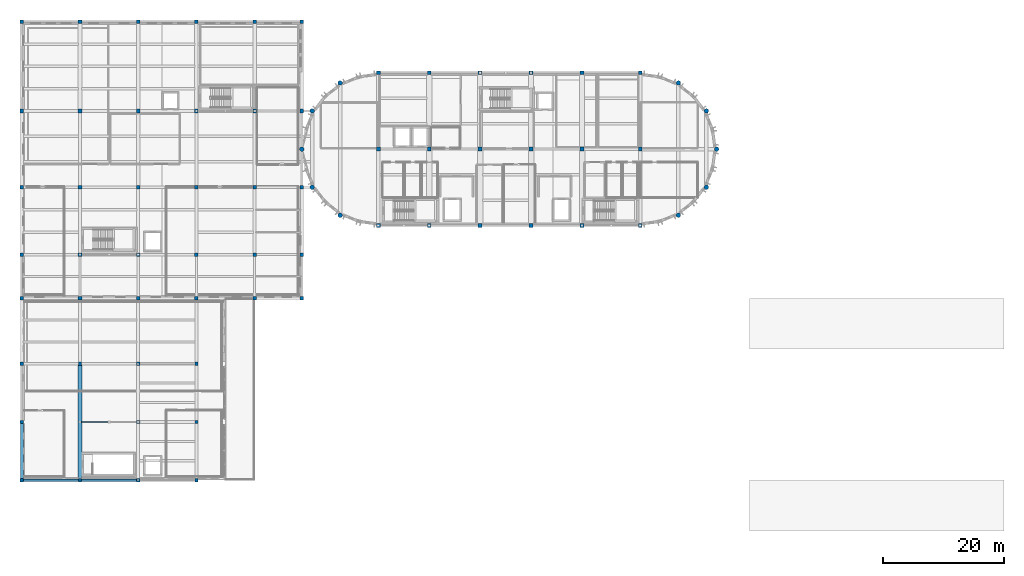
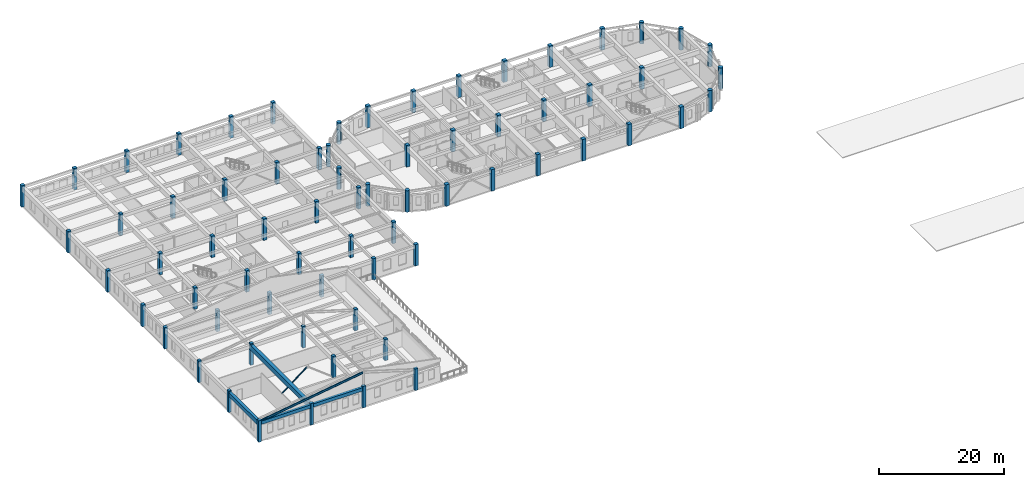
# One storey, part 1 of 31: 69 columns, 5 beams, 1 member.
"""IFC4 building model written with IfcOpenShell, lengths in metres."""

from ifc_helpers import new_model, si_unit, direction, frame, origin, origin_2d, place, context, subcontext, project, spatial, rectangle, hollow_rectangle, circle, i_section, extrude, material, material_profile, profile_set, type_object, element, save


model = new_model("IFC4")

# Units and contexts
model_context = context("Model", 3, precision=1e-05, world=origin(), true_north=direction((0.0, 1.0)))
body_context = subcontext(model_context, "Body", "Model", "MODEL_VIEW")
ifc_project = project(units=[si_unit("LENGTHUNIT", "METRE"), si_unit("AREAUNIT", "SQUARE_METRE"), si_unit("VOLUMEUNIT", "CUBIC_METRE"), si_unit("PLANEANGLEUNIT", "RADIAN"), si_unit("MASSUNIT", "GRAM", prefix="KILO")], contexts=[model_context])

# Site, building, storey
site_placement = place(None, origin())
site = spatial("IfcSite", under=ifc_project, at=site_placement, CompositionType="ELEMENT")
building_placement = place(site_placement, origin())
building = spatial("IfcBuilding", under=site, at=building_placement, Name="Tarnavel Promenade Courthouse", CompositionType="ELEMENT")
storey_placement = place(building_placement, frame((0.0, 0.0, 18.60009765625)))
storey = spatial("IfcBuildingStorey", under=building, at=storey_placement, Name="L05", CompositionType="ELEMENT", Elevation=18.60009765625)

# Columns
ifc_material_1 = material(Name="Concrete C40/50", Category="concrete")
ifc_material_profile_1 = material_profile(ifc_material_1, circle(Radius=0.375, at=origin_2d()), Name="RCC D750")
ifc_profile_set_1 = profile_set([ifc_material_profile_1], Name="Concrete C40/50")
column_type_1 = type_object("IfcColumnType", Name="Concrete C40/50 COL-DRUM-D750 (RCC D750)", PredefinedType="COLUMN", material=ifc_profile_set_1)
for number, where, z_axis, x_axis, name in (
    (1, (52.5, 102.7119140625, 0.0), (0.0, 0.0, 1.0), (1.0, 0.0, 0.0), "L05 Structural Column 0234"),
    (2, (108.300048828125, 80.88818359375, 0.0), (0.0, 0.0, 1.0), (1.0, 0.0, 0.0), "L05 Structural Column 0244"),
    (3, (47.88818359375, 98.10009765625, 0.0), (0.0, 0.0, 1.0), (1.0, 0.0, 0.0), "L05 Structural Column 0254"),
    (4, (112.911865234375, 85.5, 0.0), (0.0, 0.0, 1.0), (1.0, 0.0, 0.0), "L05 Structural Column 0264"),
    (5, (46.199951171875, 91.800048828125, 0.0), (0.0, 0.0, 1.0), (1.0, 0.0, 0.0), "L05 Structural Column 0274"),
    (6, (114.60009765625, 91.800048828125, 0.0), (0.0, 0.0, 1.0), (1.0, 0.0, 0.0), "L05 Structural Column 0284"),
    (7, (47.88818359375, 85.5, 0.0), (0.0, 0.0, 1.0), (1.0, 0.0, 0.0), "L05 Structural Column 0294"),
    (8, (112.911865234375, 98.10009765625, 0.0), (0.0, 0.0, 1.0), (1.0, 0.0, 0.0), "L05 Structural Column 0304"),
    (9, (52.5, 80.88818359375, 0.0), (0.0, 0.0, 1.0), (1.0, 0.0, 0.0), "L05 Structural Column 0314"),
    (10, (108.300048828125, 102.7119140625, 0.0), (0.0, 0.0, 1.0), (1.0, 0.0, 0.0), "L05 Structural Column 0324"),
):
    element("IfcColumn", number, at=place(storey_placement, frame(where, z_axis=z_axis, x_axis=x_axis)), inside=storey, type_object=column_type_1, Name=name, PredefinedType="COLUMN", context=body_context, shape_type="SweptSolid", body=[
        extrude(circle(Radius=0.375, at=origin_2d()), origin(), (0.0, 0.0, 1.0), 4.199951171875),
    ])
ifc_material_profile_2 = material_profile(ifc_material_1, rectangle(XDim=0.550048828125, YDim=0.550048828125, at=origin_2d()), Name="RC 550x550")
ifc_profile_set_2 = profile_set([ifc_material_profile_2], Name="Concrete C40/50")
column_type_2 = type_object("IfcColumnType", Name="Concrete C40/50 COL-RC550-TOP (RC 550x550)", PredefinedType="COLUMN", material=ifc_profile_set_2)
for number, where, z_axis, x_axis, name in (
    (11, (0.0, 37.199951171875, 0.0), (0.0, 0.0, 1.0), (1.0, 0.0, 0.0), "L05 Structural Column 0538"),
    (12, (0.0, 46.800048828125, 0.0), (0.0, 0.0, 1.0), (1.0, 0.0, 0.0), "L05 Structural Column 0544"),
    (13, (0.0, 56.39990234375, 0.0), (0.0, 0.0, 1.0), (1.0, 0.0, 0.0), "L05 Structural Column 0550"),
    (14, (9.60009765625, 37.199951171875, 0.0), (0.0, 0.0, 1.0), (1.0, 0.0, 0.0), "L05 Structural Column 0556"),
    (15, (9.60009765625, 56.39990234375, 0.0), (0.0, 0.0, 1.0), (1.0, 0.0, 0.0), "L05 Structural Column 0562"),
    (16, (19.199951171875, 37.199951171875, 0.0), (0.0, 0.0, 1.0), (1.0, 0.0, 0.0), "L05 Structural Column 0568"),
    (17, (19.199951171875, 46.800048828125, 0.0), (0.0, 0.0, 1.0), (1.0, 0.0, 0.0), "L05 Structural Column 0574"),
    (18, (19.199951171875, 56.39990234375, 0.0), (0.0, 0.0, 1.0), (1.0, 0.0, 0.0), "L05 Structural Column 0580"),
    (19, (28.800048828125, 37.199951171875, 0.0), (0.0, 0.0, 1.0), (1.0, 0.0, 0.0), "L05 Structural Column 0586"),
    (20, (28.800048828125, 46.800048828125, 0.0), (0.0, 0.0, 1.0), (1.0, 0.0, 0.0), "L05 Structural Column 0592"),
    (21, (28.800048828125, 56.39990234375, 0.0), (0.0, 0.0, 1.0), (1.0, 0.0, 0.0), "L05 Structural Column 0598"),
):
    element("IfcColumn", number, at=place(storey_placement, frame(where, z_axis=z_axis, x_axis=x_axis)), inside=storey, type_object=column_type_2, Name=name, PredefinedType="COLUMN", context=body_context, shape_type="SweptSolid", body=[
        extrude(rectangle(XDim=0.550048828125, YDim=0.550048828125, at=origin_2d()), origin(), (0.0, 0.0, 1.0), 4.199951171875),
    ])
ifc_material_profile_3 = material_profile(ifc_material_1, rectangle(XDim=0.60009765625, YDim=0.60009765625, at=origin_2d()), Name="RC 600x600")
ifc_profile_set_3 = profile_set([ifc_material_profile_3], Name="Concrete C40/50")
column_type_3 = type_object("IfcColumnType", Name="Concrete C40/50 COL-RC600-UPP (RC 600x600)", PredefinedType="COLUMN", material=ifc_profile_set_3)
for number, where, z_axis, x_axis, name in (
    (22, (0.0, 67.199951171875, 0.0), (0.0, 0.0, 1.0), (1.0, 0.0, 0.0), "L05 Structural Column 0334"),
    (23, (0.0, 74.39990234375, 0.0), (0.0, 0.0, 1.0), (1.0, 0.0, 0.0), "L05 Structural Column 0340"),
    (24, (0.0, 85.5, 0.0), (0.0, 0.0, 1.0), (1.0, 0.0, 0.0), "L05 Structural Column 0347"),
    (25, (0.0, 98.10009765625, 0.0), (0.0, 0.0, 1.0), (1.0, 0.0, 0.0), "L05 Structural Column 0354"),
    (26, (0.0, 112.800048828125, 0.0), (0.0, 0.0, 1.0), (1.0, 0.0, 0.0), "L05 Structural Column 0361"),
    (27, (9.60009765625, 67.199951171875, 0.0), (0.0, 0.0, 1.0), (1.0, 0.0, 0.0), "L05 Structural Column 0368"),
    (28, (9.60009765625, 74.39990234375, 0.0), (0.0, 0.0, 1.0), (1.0, 0.0, 0.0), "L05 Structural Column 0374"),
    (29, (9.60009765625, 85.5, 0.0), (0.0, 0.0, 1.0), (1.0, 0.0, 0.0), "L05 Structural Column 0381"),
    (30, (9.60009765625, 98.10009765625, 0.0), (0.0, 0.0, 1.0), (1.0, 0.0, 0.0), "L05 Structural Column 0388"),
    (31, (9.60009765625, 112.800048828125, 0.0), (0.0, 0.0, 1.0), (1.0, 0.0, 0.0), "L05 Structural Column 0395"),
    (32, (19.199951171875, 67.199951171875, 0.0), (0.0, 0.0, 1.0), (1.0, 0.0, 0.0), "L05 Structural Column 0402"),
    (33, (19.199951171875, 74.39990234375, 0.0), (0.0, 0.0, 1.0), (1.0, 0.0, 0.0), "L05 Structural Column 0408"),
    (34, (19.199951171875, 85.5, 0.0), (0.0, 0.0, 1.0), (1.0, 0.0, 0.0), "L05 Structural Column 0415"),
    (35, (19.199951171875, 98.10009765625, 0.0), (0.0, 0.0, 1.0), (1.0, 0.0, 0.0), "L05 Structural Column 0422"),
    (36, (19.199951171875, 112.800048828125, 0.0), (0.0, 0.0, 1.0), (1.0, 0.0, 0.0), "L05 Structural Column 0429"),
    (37, (28.800048828125, 67.199951171875, 0.0), (0.0, 0.0, 1.0), (1.0, 0.0, 0.0), "L05 Structural Column 0436"),
    (38, (28.800048828125, 74.39990234375, 0.0), (0.0, 0.0, 1.0), (1.0, 0.0, 0.0), "L05 Structural Column 0442"),
    (39, (28.800048828125, 85.5, 0.0), (0.0, 0.0, 1.0), (1.0, 0.0, 0.0), "L05 Structural Column 0449"),
    (40, (28.800048828125, 98.10009765625, 0.0), (0.0, 0.0, 1.0), (1.0, 0.0, 0.0), "L05 Structural Column 0456"),
    (41, (28.800048828125, 112.800048828125, 0.0), (0.0, 0.0, 1.0), (1.0, 0.0, 0.0), "L05 Structural Column 0463"),
    (42, (38.39990234375, 67.199951171875, 0.0), (0.0, 0.0, 1.0), (1.0, 0.0, 0.0), "L05 Structural Column 0470"),
    (43, (38.39990234375, 74.39990234375, 0.0), (0.0, 0.0, 1.0), (1.0, 0.0, 0.0), "L05 Structural Column 0476"),
    (44, (38.39990234375, 85.5, 0.0), (0.0, 0.0, 1.0), (1.0, 0.0, 0.0), "L05 Structural Column 0483"),
    (45, (38.39990234375, 98.10009765625, 0.0), (0.0, 0.0, 1.0), (1.0, 0.0, 0.0), "L05 Structural Column 0490"),
    (46, (38.39990234375, 112.800048828125, 0.0), (0.0, 0.0, 1.0), (1.0, 0.0, 0.0), "L05 Structural Column 0497"),
    (47, (46.199951171875, 67.199951171875, 0.0), (0.0, 0.0, 1.0), (1.0, 0.0, 0.0), "L05 Structural Column 0504"),
    (48, (46.199951171875, 74.39990234375, 0.0), (0.0, 0.0, 1.0), (1.0, 0.0, 0.0), "L05 Structural Column 0510"),
    (49, (46.199951171875, 85.5, 0.0), (0.0, 0.0, 1.0), (1.0, 0.0, 0.0), "L05 Structural Column 0517"),
    (50, (46.199951171875, 98.10009765625, 0.0), (0.0, 0.0, 1.0), (1.0, 0.0, 0.0), "L05 Structural Column 0524"),
    (51, (46.199951171875, 112.800048828125, 0.0), (0.0, 0.0, 1.0), (1.0, 0.0, 0.0), "L05 Structural Column 0531"),
):
    element("IfcColumn", number, at=place(storey_placement, frame(where, z_axis=z_axis, x_axis=x_axis)), inside=storey, type_object=column_type_3, Name=name, PredefinedType="COLUMN", context=body_context, shape_type="SweptSolid", body=[
        extrude(rectangle(XDim=0.60009765625, YDim=0.60009765625, at=origin_2d()), origin(), (0.0, 0.0, 1.0), 4.199951171875),
    ])
ifc_material_profile_4 = material_profile(ifc_material_1, rectangle(XDim=0.64990234375, YDim=0.64990234375, at=origin_2d()), Name="RC 650x650")
ifc_profile_set_4 = profile_set([ifc_material_profile_4], Name="Concrete C40/50")
column_type_4 = type_object("IfcColumnType", Name="Concrete C40/50 COL-RC650-UPP (RC 650x650)", PredefinedType="COLUMN", material=ifc_profile_set_4)
for number, where, z_axis, x_axis, name in (
    (52, (58.800048828125, 79.199951171875, 0.0), (0.0, 0.0, 1.0), (1.0, 0.0, 0.0), "L05 Structural Column 0006"),
    (53, (58.800048828125, 91.800048828125, 0.0), (0.0, 0.0, 1.0), (1.0, 0.0, 0.0), "L05 Structural Column 0016"),
    (54, (58.800048828125, 104.39990234375, 0.0), (0.0, 0.0, 1.0), (1.0, 0.0, 0.0), "L05 Structural Column 0026"),
    (55, (67.199951171875, 79.199951171875, 0.0), (0.0, 0.0, 1.0), (1.0, 0.0, 0.0), "L05 Structural Column 0040"),
    (56, (67.199951171875, 91.800048828125, 0.0), (0.0, 0.0, 1.0), (1.0, 0.0, 0.0), "L05 Structural Column 0050"),
    (57, (67.199951171875, 104.39990234375, 0.0), (0.0, 0.0, 1.0), (1.0, 0.0, 0.0), "L05 Structural Column 0060"),
    (58, (75.60009765625, 79.199951171875, 0.0), (0.0, 0.0, 1.0), (1.0, 0.0, 0.0), "L05 Structural Column 0082"),
    (59, (75.60009765625, 91.800048828125, 0.0), (0.0, 0.0, 1.0), (1.0, 0.0, 0.0), "L05 Structural Column 0092"),
    (60, (75.60009765625, 104.39990234375, 0.0), (0.0, 0.0, 1.0), (1.0, 0.0, 0.0), "L05 Structural Column 0102"),
    (61, (84.0, 79.199951171875, 0.0), (0.0, 0.0, 1.0), (1.0, 0.0, 0.0), "L05 Structural Column 0120"),
    (62, (84.0, 91.800048828125, 0.0), (0.0, 0.0, 1.0), (1.0, 0.0, 0.0), "L05 Structural Column 0130"),
    (63, (84.0, 104.39990234375, 0.0), (0.0, 0.0, 1.0), (1.0, 0.0, 0.0), "L05 Structural Column 0140"),
    (64, (92.39990234375, 79.199951171875, 0.0), (0.0, 0.0, 1.0), (1.0, 0.0, 0.0), "L05 Structural Column 0158"),
    (65, (92.39990234375, 91.800048828125, 0.0), (0.0, 0.0, 1.0), (1.0, 0.0, 0.0), "L05 Structural Column 0168"),
    (66, (92.39990234375, 104.39990234375, 0.0), (0.0, 0.0, 1.0), (1.0, 0.0, 0.0), "L05 Structural Column 0178"),
    (67, (102.0, 79.199951171875, 0.0), (0.0, 0.0, 1.0), (1.0, 0.0, 0.0), "L05 Structural Column 0200"),
    (68, (102.0, 91.800048828125, 0.0), (0.0, 0.0, 1.0), (1.0, 0.0, 0.0), "L05 Structural Column 0210"),
    (69, (102.0, 104.39990234375, 0.0), (0.0, 0.0, 1.0), (1.0, 0.0, 0.0), "L05 Structural Column 0220"),
):
    element("IfcColumn", number, at=place(storey_placement, frame(where, z_axis=z_axis, x_axis=x_axis)), inside=storey, type_object=column_type_4, Name=name, PredefinedType="COLUMN", context=body_context, shape_type="SweptSolid", body=[
        extrude(rectangle(XDim=0.64990234375, YDim=0.64990234375, at=origin_2d()), origin(), (0.0, 0.0, 1.0), 4.199951171875),
    ])

# Beams
ifc_material_profile_5 = material_profile(ifc_material_1, rectangle(XDim=0.5, YDim=0.800048828125, at=origin_2d()), Name="PT 500x800")
ifc_profile_set_5 = profile_set([ifc_material_profile_5], Name="Concrete C40/50")
beam_type_1 = type_object("IfcBeamType", Name="Concrete C40/50 BM-PT-500x800 (PT 500x800)", PredefinedType="T_BEAM", material=ifc_profile_set_5)
beam_1_placement = place(storey_placement, frame((0.0, 37.199951171875, 3.554931640625), z_axis=(0.0, 1.0, 0.0), x_axis=(-1.0, 0.0, 0.0)))
element("IfcBeam", 70, at=beam_1_placement, inside=storey, type_object=beam_type_1, Name="L05 Transverse Girder 2276", PredefinedType="T_BEAM", context=body_context, shape_type="SweptSolid", body=[
    extrude(rectangle(XDim=0.5, YDim=0.800048828125, at=origin_2d()), origin(), (0.0, 0.0, 1.0), 9.60009765625),
])
ifc_material_profile_6 = material_profile(ifc_material_1, rectangle(XDim=0.60009765625, YDim=0.949951171875, at=origin_2d()), Name="PT 600x950")
ifc_profile_set_6 = profile_set([ifc_material_profile_6], Name="Concrete C40/50")
beam_type_2 = type_object("IfcBeamType", Name="Concrete C40/50 BM-PT-600x950 (PT 600x950)", PredefinedType="T_BEAM", material=ifc_profile_set_6)
beam_2_placement = place(storey_placement, frame((9.60009765625, 37.199951171875, 3.47998046875), z_axis=(0.0, 1.0, 0.0), x_axis=(-1.0, 0.0, 0.0)))
element("IfcBeam", 71, at=beam_2_placement, inside=storey, type_object=beam_type_2, Name="L05 Transverse Girder 2283", PredefinedType="T_BEAM", context=body_context, shape_type="SweptSolid", body=[
    extrude(rectangle(XDim=0.60009765625, YDim=0.949951171875, at=origin_2d()), origin(), (0.0, 0.0, 1.0), 19.199951171875),
])
ifc_material_profile_7 = material_profile(ifc_material_1, rectangle(XDim=0.449951171875, YDim=0.64990234375, at=origin_2d()), Name="RC 450x650")
ifc_profile_set_7 = profile_set([ifc_material_profile_7], Name="Concrete C40/50")
beam_type_3 = type_object("IfcBeamType", Name="Concrete C40/50 BM-RC-450x650 (RC 450x650)", PredefinedType="T_BEAM", material=ifc_profile_set_7)
beam_3_placement = place(storey_placement, frame((0.0, 37.199951171875, 3.6298828125), z_axis=(1.0, 0.0, 0.0), x_axis=(0.0, 1.0, 0.0)))
element("IfcBeam", 72, at=beam_3_placement, inside=storey, type_object=beam_type_3, Name="L05 Primary Longitudinal Beam 2226", PredefinedType="T_BEAM", context=body_context, shape_type="SweptSolid", body=[
    extrude(rectangle(XDim=0.449951171875, YDim=0.64990234375, at=origin_2d()), origin(), (0.0, 0.0, 1.0), 9.60009765625),
])
beam_4_placement = place(storey_placement, frame((9.60009765625, 37.199951171875, 3.6298828125), z_axis=(1.0, 0.0, 0.0), x_axis=(0.0, 1.0, 0.0)))
element("IfcBeam", 73, at=beam_4_placement, inside=storey, type_object=beam_type_3, Name="L05 Primary Longitudinal Beam 2227", PredefinedType="T_BEAM", context=body_context, shape_type="SweptSolid", body=[
    extrude(rectangle(XDim=0.449951171875, YDim=0.64990234375, at=origin_2d()), origin(), (0.0, 0.0, 1.0), 9.599853515625),
])
ifc_material_2 = material(Name="Steel S355J2", Category="steel")
ifc_material_profile_8 = material_profile(ifc_material_2, i_section(OverallWidth=0.179931640625, OverallDepth=0.39990234375, WebThickness=0.008544921875, FlangeThickness=0.013427734375, FilletRadius=0.02099609375, at=origin_2d()), Name="IPE 400")
ifc_profile_set_8 = profile_set([ifc_material_profile_8], Name="Steel S355J2")
beam_type_4 = type_object("IfcBeamType", Name="Steel S355J2 BM-ST-IPE400 (IPE 400)", PredefinedType="BEAM", material=ifc_profile_set_8)
beam_5_placement = place(storey_placement, frame((0.0, 37.199951171875, 3.85986328125), z_axis=(0.988979138934, 0.0, 0.148054931539), x_axis=(0.0, 1.0, 0.0)))
element("IfcBeam", 74, at=beam_5_placement, inside=storey, type_object=beam_type_4, Name="Library Roof Rafter W", PredefinedType="BEAM", context=body_context, shape_type="SweptSolid", body=[
    extrude(i_section(OverallWidth=0.179931640625, OverallDepth=0.39990234375, WebThickness=0.008544921875, FlangeThickness=0.013427734375, FilletRadius=0.02099609375, at=origin_2d()), origin(), (0.0, 0.0, 1.0), 19.31787109375),
])

# Member
ifc_material_profile_9 = material_profile(ifc_material_2, hollow_rectangle(XDim=0.179931640625, YDim=0.179931640625, WallThickness=0.010009765625, InnerFilletRadius=0.010009765625, OuterFilletRadius=0.02001953125, at=origin_2d()), Name="SHS 180x180x10")
ifc_profile_set_9 = profile_set([ifc_material_profile_9], Name="Steel S355J2")
member_type = type_object("IfcMemberType", Name="Steel S355J2 MEM-BR-SHS180 (SHS 180x180x10)", PredefinedType="BRACE", material=ifc_profile_set_9)
member_placement = place(storey_placement, frame((9.60009765625, 46.800048828125, 0.0), z_axis=(0.791612530341, 0.0, 0.611023405286), x_axis=(0.0, 1.0, 0.0)))
element("IfcMember", 75, at=member_placement, inside=storey, type_object=member_type, Name="L05 V3 Chevron Brace A 047", PredefinedType="BRACE", context=body_context, shape_type="SweptSolid", body=[
    extrude(hollow_rectangle(XDim=0.179931640625, YDim=0.179931640625, WallThickness=0.010009765625, InnerFilletRadius=0.010009765625, OuterFilletRadius=0.02001953125, at=origin_2d()), origin(), (0.0, 0.0, 1.0), 6.063232421875),
])

save(model, "model.ifc")
